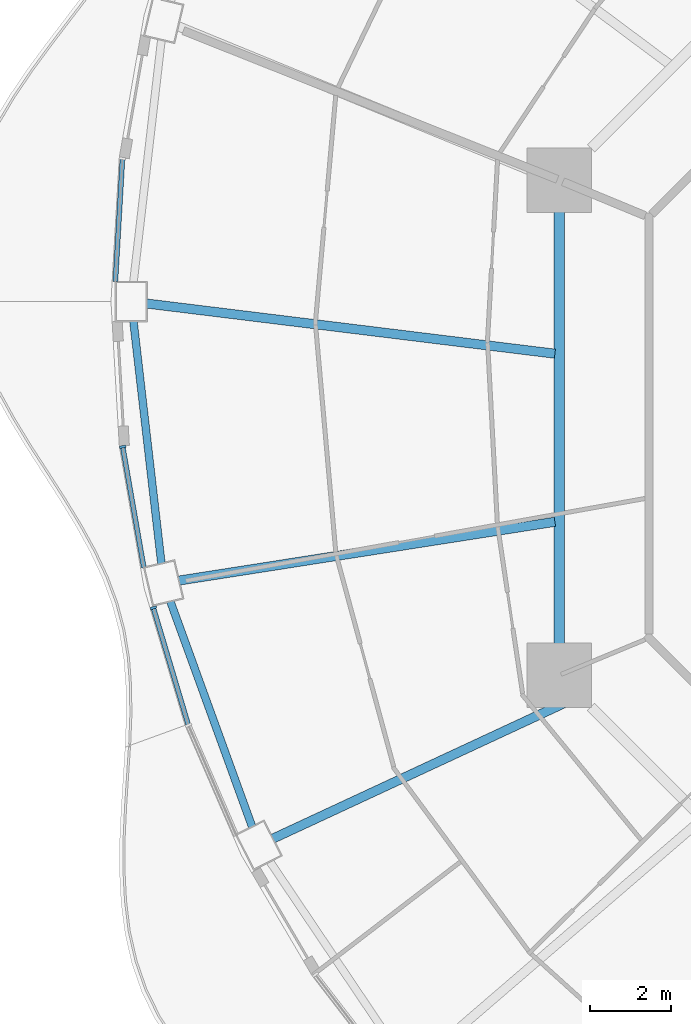
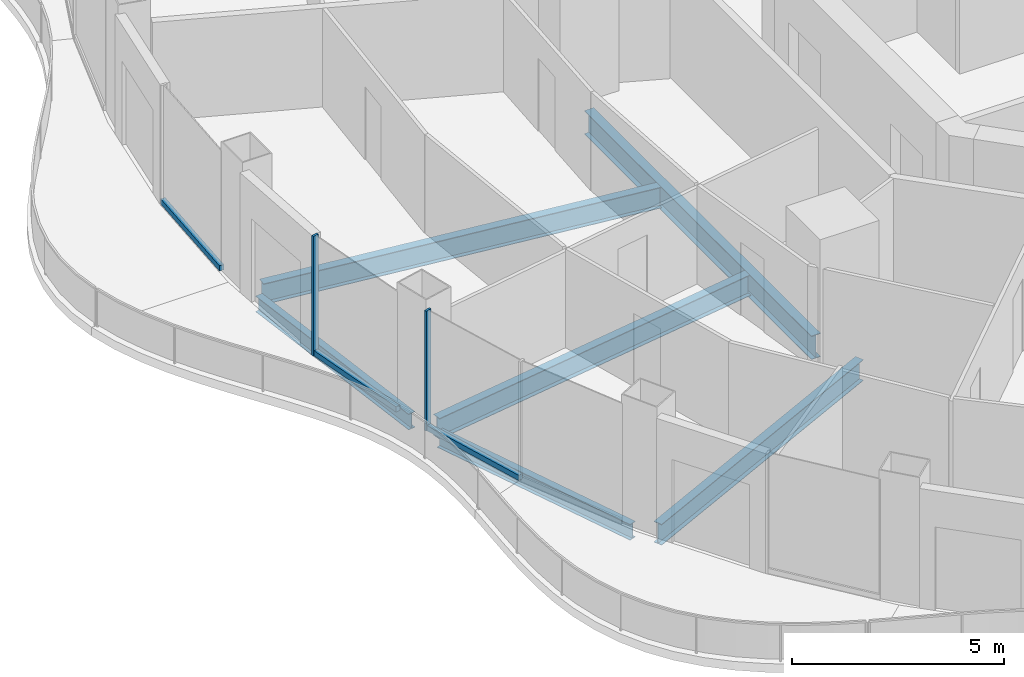
# One storey, part 3 of 18: 6 beams, 5 members, 3 elements without a shape of their own.
"""IFC4 building model written with IfcOpenShell, lengths in metres."""

from ifc_helpers import new_model, si_unit, direction, frame, origin, origin_2d, place, context, subcontext, project, spatial, rectangle, i_section, extrude, material, layer, layer_set, material_profile, profile_set, type_object, element, aggregate, save


model = new_model("IFC4")

# Units and contexts
model_context = context("Model", 3, precision=1e-05, world=origin(), true_north=direction((0.0, 1.0)))
body_context = subcontext(model_context, "Body", "Model", "MODEL_VIEW")
ifc_project = project(units=[si_unit("LENGTHUNIT", "METRE"), si_unit("AREAUNIT", "SQUARE_METRE"), si_unit("VOLUMEUNIT", "CUBIC_METRE"), si_unit("PLANEANGLEUNIT", "RADIAN"), si_unit("MASSUNIT", "GRAM", prefix="KILO")], contexts=[model_context])

# Site, building, storey
site_placement = place(None, origin())
site = spatial("IfcSite", under=ifc_project, at=site_placement, CompositionType="ELEMENT")
building_placement = place(site_placement, origin())
building = spatial("IfcBuilding", under=site, at=building_placement, Name="Nagisa Residences", CompositionType="ELEMENT")
storey_placement = place(building_placement, frame((0.0, 0.0, 230.699951171875)))
storey = spatial("IfcBuildingStorey", under=building, at=storey_placement, Name="L58", CompositionType="ELEMENT", Elevation=230.699951171875)

# Curtain wall, member
ifc_material_1 = material(Name="Concrete-coloured aluminium curtain wall system", Category="concrete")
ifc_layer = layer(ifc_material_1, 0.159912109375)
ifc_layer_set = layer_set([ifc_layer], Name="CW1 CURTAIN WALL")
curtain_wall_type = type_object("IfcCurtainWallType", Name="CW1 CURTAIN WALL", PredefinedType="NOTDEFINED", material=ifc_layer_set)
curtain_wall_1_placement = place(storey_placement, origin())
curtain_wall_1 = element("IfcCurtainWall", 1, at=curtain_wall_1_placement, inside=storey, type_object=curtain_wall_type, Name="cw:CW1:L58:25", PredefinedType="NOTDEFINED")
ifc_material_2 = material(Name="Concrete-coloured aluminium", Category="concrete")
ifc_material_profile_1 = material_profile(ifc_material_2, rectangle(XDim=0.159912109375, YDim=0.06005859375, at=origin_2d()), Name="CW1 MULLION 160x60")
ifc_profile_set_1 = profile_set([ifc_material_profile_1], Name="Concrete-coloured aluminium")
member_type_1 = type_object("IfcMemberType", Name="CW1 MULLION 160x60", PredefinedType="MULLION", material=ifc_profile_set_1)
member_1_placement = place(storey_placement, frame((-25.580078125, -0.47314453125, 0.0), z_axis=(0.0, 0.0, 1.0), x_axis=(0.985063604377, 0.172190868898, 0.0)))
member_1 = element("IfcMember", 2, at=member_1_placement, type_object=member_type_1, Name="CW1 mullion", PredefinedType="MULLION", context=body_context, shape_type="SweptSolid", body=[
    extrude(rectangle(XDim=0.159912109375, YDim=0.06005859375, at=origin_2d()), origin(), (0.0, 0.0, 1.0), 3.43994140625),
])

curtain_wall_2_placement = place(storey_placement, origin())
curtain_wall_2 = element("IfcCurtainWall", 3, at=curtain_wall_2_placement, inside=storey, type_object=curtain_wall_type, Name="cw:CW1:L58:26", PredefinedType="NOTDEFINED")
member_2_placement = place(storey_placement, frame((-24.82177734375, -4.456298828125, 0.0), z_axis=(0.0, 0.0, 1.0), x_axis=(0.958271310082, 0.285860274038, 0.0)))
member_2 = element("IfcMember", 4, at=member_2_placement, type_object=member_type_1, Name="CW1 mullion", PredefinedType="MULLION", context=body_context, shape_type="SweptSolid", body=[
    extrude(rectangle(XDim=0.159912109375, YDim=0.06005859375, at=origin_2d()), origin(), (0.0, 0.0, 1.0), 3.43994140625),
])

curtain_wall_3_placement = place(storey_placement, origin())
curtain_wall_3 = element("IfcCurtainWall", 5, at=curtain_wall_3_placement, inside=storey, type_object=curtain_wall_type, Name="cw:CW1:L58:23", PredefinedType="NOTDEFINED")
ifc_material_3 = material(Name="Concrete-coloured aluminium", Category="concrete")
ifc_material_profile_2 = material_profile(ifc_material_3, rectangle(XDim=0.1201171875, YDim=0.14990234375, at=origin_2d()), Name="CW1 TRANSOM 120x150")
ifc_profile_set_2 = profile_set([ifc_material_profile_2], Name="Concrete-coloured aluminium")
member_type_2 = type_object("IfcMemberType", Name="CW1 TRANSOM 120x150", PredefinedType="USERDEFINED", material=ifc_profile_set_2)
member_3_placement = place(storey_placement, frame((-25.584228515625, 6.688232421875, 0.074951171875), z_axis=(-0.057528189427, -0.998343882348, 0.0), x_axis=(0.998343882348, -0.057528189427, 0.0)))
member_3 = element("IfcMember", 6, at=member_3_placement, type_object=member_type_2, Name="CW1 transom", ObjectType="TRANSOM", PredefinedType="USERDEFINED", context=body_context, shape_type="SweptSolid", body=[
    extrude(rectangle(XDim=0.1201171875, YDim=0.14990234375, at=origin_2d()), origin(), (0.0, 0.0, 1.0), 3.0810546875),
])
aggregate(curtain_wall_3, [member_3])

# Member
member_4_placement = place(storey_placement, frame((-25.585205078125, -0.443603515625, 0.074951171875), z_axis=(0.172164083933, -0.985068286061, 0.0), x_axis=(0.985068286061, 0.172164083933, 0.0)))
member_4 = element("IfcMember", 7, at=member_4_placement, type_object=member_type_2, Name="CW1 transom", ObjectType="TRANSOM", PredefinedType="USERDEFINED", context=body_context, shape_type="SweptSolid", body=[
    extrude(rectangle(XDim=0.1201171875, YDim=0.14990234375, at=origin_2d()), origin(), (0.0, 0.0, 1.0), 3.0673828125),
])

aggregate(curtain_wall_1, [member_1, member_4])

member_5_placement = place(storey_placement, frame((-24.830322265625, -4.427734375, 0.074951171875), z_axis=(0.285881452443, -0.958264992134, 0.0), x_axis=(0.958264992134, 0.285881452443, 0.0)))
member_5 = element("IfcMember", 8, at=member_5_placement, type_object=member_type_2, Name="CW1 transom", ObjectType="TRANSOM", PredefinedType="USERDEFINED", context=body_context, shape_type="SweptSolid", body=[
    extrude(rectangle(XDim=0.1201171875, YDim=0.14990234375, at=origin_2d()), origin(), (0.0, 0.0, 1.0), 3.040283203125),
])

aggregate(curtain_wall_2, [member_2, member_5])

# Beams
ifc_material_4 = material(Name="Steel ASTM A572 Gr 50", Category="steel")
ifc_material_profile_3 = material_profile(ifc_material_4, i_section(OverallWidth=0.2529296875, OverallDepth=0.677978515625, WebThickness=0.01171875, FlangeThickness=0.016357421875, at=origin_2d()), Name="W690x125")
ifc_profile_set_3 = profile_set([ifc_material_profile_3], Name="Steel ASTM A572 Gr 50")
beam_type_1 = type_object("IfcBeamType", Name="Inner ring beam W690x125", PredefinedType="BEAM", material=ifc_profile_set_3)
beam_1_placement = place(storey_placement, frame((-14.781982421875, 5.343017578125, -0.598876953125), z_axis=(0.0, -1.0, 0.0), x_axis=(1.0, 0.0, 0.0)))
element("IfcBeam", 9, at=beam_1_placement, inside=storey, type_object=beam_type_1, Name="beam:L58:ib4", PredefinedType="BEAM", context=body_context, shape_type="SweptSolid", body=[
    extrude(i_section(OverallWidth=0.2529296875, OverallDepth=0.677978515625, WebThickness=0.01171875, FlangeThickness=0.016357421875, at=origin_2d()), origin(), (0.0, 0.0, 1.0), 10.68603515625),
])
ifc_material_5 = material(Name="Steel ASTM A572 Gr 50", Category="steel")
ifc_material_profile_4 = material_profile(ifc_material_5, i_section(OverallWidth=0.18994140625, OverallDepth=0.45703125, WebThickness=0.009033203125, FlangeThickness=0.014404296875, at=origin_2d()), Name="W460x74")
ifc_profile_set_4 = profile_set([ifc_material_profile_4], Name="Steel ASTM A572 Gr 50")
beam_type_2 = type_object("IfcBeamType", Name="Perimeter ring beam W460x74", PredefinedType="BEAM", material=ifc_profile_set_4)
beam_2_placement = place(storey_placement, frame((-25.314697265625, 2.637451171875, -0.488525390625), z_axis=(0.114650193512, -0.993405925656, 0.0), x_axis=(0.993405925656, 0.114650193512, 0.0)))
element("IfcBeam", 10, at=beam_2_placement, inside=storey, type_object=beam_type_2, Name="beam:L58:pb13", PredefinedType="BEAM", context=body_context, shape_type="SweptSolid", body=[
    extrude(i_section(OverallWidth=0.18994140625, OverallDepth=0.45703125, WebThickness=0.009033203125, FlangeThickness=0.014404296875, at=origin_2d()), origin(), (0.0, 0.0, 1.0), 6.0390625),
])
beam_3_placement = place(storey_placement, frame((-24.40185546875, -4.29638671875, -0.488525390625), z_axis=(0.341290329164, -0.939957930558, 0.0), x_axis=(0.939957930558, 0.341290329164, 0.0)))
element("IfcBeam", 11, at=beam_3_placement, inside=storey, type_object=beam_type_2, Name="beam:L58:pb14", PredefinedType="BEAM", context=body_context, shape_type="SweptSolid", body=[
    extrude(i_section(OverallWidth=0.18994140625, OverallDepth=0.45703125, WebThickness=0.009033203125, FlangeThickness=0.014404296875, at=origin_2d()), origin(), (0.0, 0.0, 1.0), 5.932373046875),
])
ifc_material_6 = material(Name="Steel ASTM A572 Gr 50", Category="steel")
ifc_material_profile_5 = material_profile(ifc_material_6, i_section(OverallWidth=0.22802734375, OverallDepth=0.60302734375, WebThickness=0.010498046875, FlangeThickness=0.014892578125, at=origin_2d()), Name="W610x101")
ifc_profile_set_5 = profile_set([ifc_material_profile_5], Name="Steel ASTM A572 Gr 50")
beam_type_3 = type_object("IfcBeamType", Name="Radial beam W610x101", PredefinedType="BEAM", material=ifc_profile_set_5)
beam_4_placement = place(storey_placement, frame((-24.98974609375, 3.071044921875, -0.5615234375), z_axis=(0.992531892614, -0.121985417749, 0.0), x_axis=(0.121985417749, 0.992531892614, 0.0)))
element("IfcBeam", 12, at=beam_4_placement, inside=storey, type_object=beam_type_3, Name="beam:L58:rb13", PredefinedType="BEAM", context=body_context, shape_type="SweptSolid", body=[
    extrude(i_section(OverallWidth=0.22802734375, OverallDepth=0.60302734375, WebThickness=0.010498046875, FlangeThickness=0.014892578125, at=origin_2d()), origin(), (0.0, 0.0, 1.0), 10.177001953125),
])
beam_5_placement = place(storey_placement, frame((-24.190185546875, -3.782958984375, -0.5615234375), z_axis=(0.987991506145, 0.154508199738, 0.0), x_axis=(-0.154508199738, 0.987991506145, 0.0)))
element("IfcBeam", 13, at=beam_5_placement, inside=storey, type_object=beam_type_3, Name="beam:L58:rb14", PredefinedType="BEAM", context=body_context, shape_type="SweptSolid", body=[
    extrude(i_section(OverallWidth=0.22802734375, OverallDepth=0.60302734375, WebThickness=0.010498046875, FlangeThickness=0.014892578125, at=origin_2d()), origin(), (0.0, 0.0, 1.0), 9.414306640625),
])
beam_6_placement = place(storey_placement, frame((-21.867431640625, -10.1669921875, -0.5615234375), z_axis=(0.906781531642, 0.421600822903, 0.0), x_axis=(-0.421600822903, 0.906781531642, 0.0)))
element("IfcBeam", 14, at=beam_6_placement, inside=storey, type_object=beam_type_3, Name="beam:L58:rb15", PredefinedType="BEAM", context=body_context, shape_type="SweptSolid", body=[
    extrude(i_section(OverallWidth=0.22802734375, OverallDepth=0.60302734375, WebThickness=0.010498046875, FlangeThickness=0.014892578125, at=origin_2d()), origin(), (0.0, 0.0, 1.0), 8.263427734375),
])

save(model, "model.ifc")
